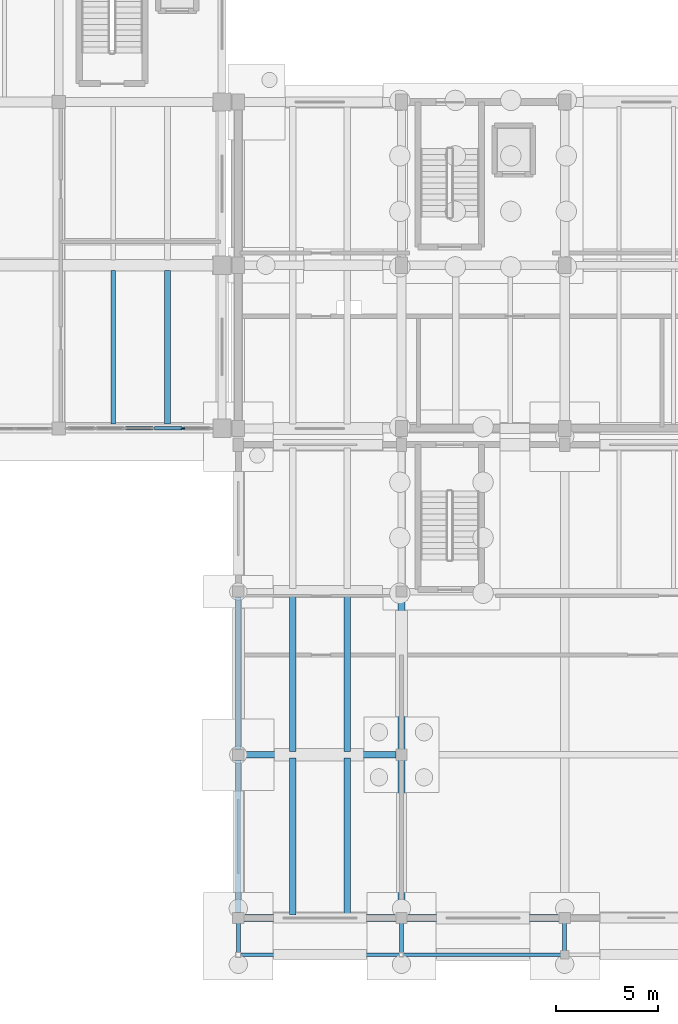
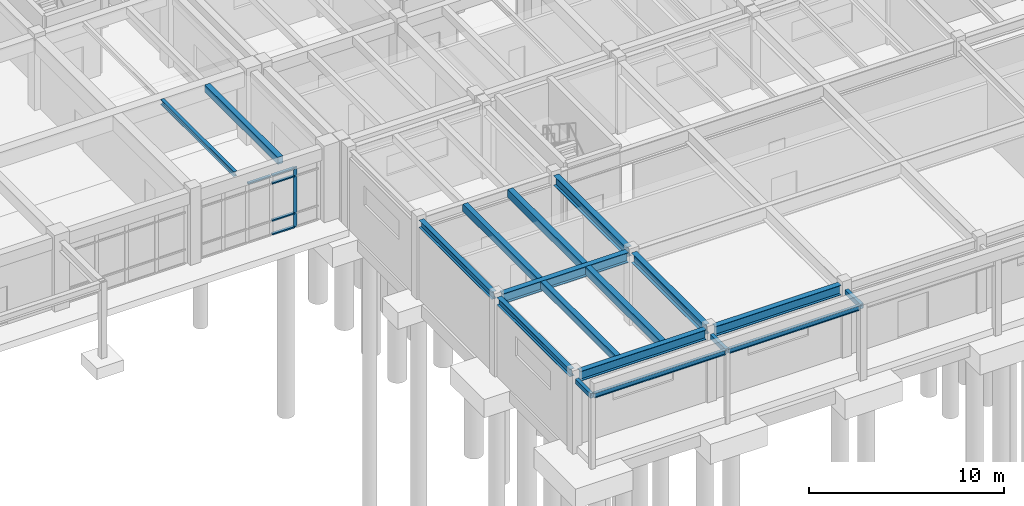
# One storey, part 20 of 64: 18 beams, 6 members, 1 element without a shape of its own.
"""IFC4 building model written with IfcOpenShell, lengths in metres."""

import ifcopenshell
import ifcopenshell.guid

model = None  # the IFC model being written
_history = None  # IfcOwnerHistory: only IFC2X3 demands one
_inside = {}  # id of a spatial element -> (the spatial element, [elements in it])
_under = {}  # id of a project, library or spatial element -> (it, [spatial elements below it])
_declared = {}  # id of a project -> (the project, [libraries it declares])
_typed = {}  # id of a type object -> (the type object, [elements of that type])
_made_of = {}  # id of a material, layer set ... -> (it, [elements and type objects made of it])


def new_model(schema):
    """Start an empty IFC model of exactly this schema.

    Asked for "IFC4X3", IfcOpenShell would pick the latest addendum, in which some entities
    have other attributes; the version numbers below select the first issue.
    IFC2X3 requires an IfcOwnerHistory on every rooted entity: one is made here for all.
    """
    global model, _history
    if schema == "IFC4X3":
        model = ifcopenshell.file(schema_version=(4, 3, 0, 0))
    else:
        model = ifcopenshell.file(schema=schema)
    _inside.clear()
    _under.clear()
    _declared.clear()
    _typed.clear()
    _made_of.clear()
    _history = None
    if model.schema == "IFC2X3":
        org = make("IfcOrganization", Name="unknown")
        user = make(
            "IfcPersonAndOrganization",
            ThePerson=make("IfcPerson", FamilyName="unknown"),
            TheOrganization=org,
        )
        app = make(
            "IfcApplication",
            ApplicationDeveloper=org,
            Version="unknown",
            ApplicationFullName="unknown",
            ApplicationIdentifier="unknown",
        )
        _history = make(
            "IfcOwnerHistory",
            OwningUser=user,
            OwningApplication=app,
            ChangeAction="ADDED",
            CreationDate=0,
        )
    return model


def make(cls, **values):
    """One entity of the class cls with the attributes given. An attribute that is None is left unset."""
    return model.create_entity(
        cls, **{name: value for name, value in values.items() if value is not None}
    )


def rooted(cls, **values):
    """An entity with a GlobalId (a new one), such as an element, a storey or a relation."""
    return make(cls, GlobalId=ifcopenshell.guid.new(), OwnerHistory=_history, **values)


def si_unit(unit_type, name, prefix=None):
    """IfcSIUnit, for example si_unit("LENGTHUNIT", "METRE", prefix="MILLI")."""
    return make("IfcSIUnit", UnitType=unit_type, Prefix=prefix, Name=name)


def assignment(units):
    """IfcUnitAssignment: the units of a project."""
    return None if units is None else make("IfcUnitAssignment", Units=units)


def point(xyz):
    """IfcCartesianPoint."""
    return None if xyz is None else make("IfcCartesianPoint", Coordinates=xyz)


def direction(xyz):
    """IfcDirection."""
    return None if xyz is None else make("IfcDirection", DirectionRatios=xyz)


def frame(location, z_axis=None, x_axis=None):
    """IfcAxis2Placement3D, a coordinate frame: its origin and axes. An axis left out is left unset."""
    return make(
        "IfcAxis2Placement3D",
        Location=point(location),
        Axis=direction(z_axis),
        RefDirection=direction(x_axis),
    )


def frame_2d(location, x_axis=None):
    """IfcAxis2Placement2D, a coordinate frame in the plane: its origin and x axis."""
    return make(
        "IfcAxis2Placement2D", Location=point(location), RefDirection=direction(x_axis)
    )


def origin():
    """The frame at (0, 0, 0) with its axes left unset."""
    return frame((0.0, 0.0, 0.0))


def origin_2d():
    """The frame at (0, 0) in the plane with its x axis left unset."""
    return frame_2d((0.0, 0.0))


def place(relative_to, where):
    """IfcLocalPlacement: puts the frame where relative to a parent placement (None: the world)."""
    return make(
        "IfcLocalPlacement", PlacementRelTo=relative_to, RelativePlacement=where
    )


def context(
    kind, dimensions, precision=None, world=None, true_north=None, identifier=None
):
    """IfcGeometricRepresentationContext, for example the 3D "Model" context."""
    return make(
        "IfcGeometricRepresentationContext",
        ContextIdentifier=identifier,
        ContextType=kind,
        CoordinateSpaceDimension=dimensions,
        Precision=precision,
        WorldCoordinateSystem=world,
        TrueNorth=true_north,
    )


def subcontext(parent, identifier, kind, view, scale=None):
    """IfcGeometricRepresentationSubContext, for example "Body" below "Model"."""
    return make(
        "IfcGeometricRepresentationSubContext",
        ContextIdentifier=identifier,
        ContextType=kind,
        ParentContext=parent,
        TargetScale=scale,
        TargetView=view,
    )


def project(units=None, contexts=None):
    """IfcProject with its units and contexts."""
    return rooted(
        "IfcProject",
        Name="project",
        RepresentationContexts=contexts,
        UnitsInContext=assignment(units),
    )


def spatial(cls, under=None, at=None, **own):
    """A site, building, storey or space (cls), placed at a placement, below another one or the project."""
    s = rooted(cls, ObjectPlacement=at, **own)
    if under is not None:
        _under.setdefault(under.id(), (under, []))[1].append(s)
    return s


def profile(cls, at=None, kind="AREA", **sizes):
    """A parametric profile (cls). Its sizes go by their IFC names, for example OverallWidth=200.0."""
    return make(cls, ProfileType=kind, Position=at, **sizes)


def rectangle(**sizes):
    """IfcRectangleProfileDef."""
    return profile("IfcRectangleProfileDef", **sizes)


def hollow_rectangle(**sizes):
    """IfcRectangleHollowProfileDef."""
    return profile("IfcRectangleHollowProfileDef", **sizes)


def i_section(**sizes):
    """IfcIShapeProfileDef."""
    return profile("IfcIShapeProfileDef", **sizes)


def extrude(swept, where, along, depth):
    """IfcExtrudedAreaSolid: the profile swept, set in the frame where, extruded along a direction by depth."""
    return make(
        "IfcExtrudedAreaSolid",
        SweptArea=swept,
        Position=where,
        ExtrudedDirection=direction(along),
        Depth=depth,
    )


def shape(context_of_items, identifier, shape_type, items):
    """IfcShapeRepresentation: the items that make up one representation, for example the "Body"."""
    return make(
        "IfcShapeRepresentation",
        ContextOfItems=context_of_items,
        RepresentationIdentifier=identifier,
        RepresentationType=shape_type,
        Items=items,
    )


def material(Name=None, Category=None):
    """IfcMaterial."""
    return make("IfcMaterial", Name=Name, Category=Category)


def material_profile(
    of_material, cross_section, Name=None, Category=None, Priority=None
):
    """IfcMaterialProfile: a cross section and its material."""
    return make(
        "IfcMaterialProfile",
        Name=Name,
        Material=of_material,
        Profile=cross_section,
        Priority=Priority,
        Category=Category,
    )


def profile_set(profiles, Name=None, composite=None):
    """IfcMaterialProfileSet."""
    return make(
        "IfcMaterialProfileSet",
        Name=Name,
        MaterialProfiles=profiles,
        CompositeProfile=composite,
    )


def made_of(thing, what):
    """Note that an element or type object is made of a material, layer set ...; save() writes the relation."""
    if what is not None:
        _made_of.setdefault(what.id(), (what, []))[1].append(thing)
    return thing


def type_object(cls, material=None, **own):
    """A type object (cls), such as IfcWallType, which elements share."""
    return made_of(rooted(cls, **own), material)


def element(
    cls,
    number,
    at=None,
    inside=None,
    cuts=None,
    type_object=None,
    material=None,
    context=None,
    identifier="Body",
    shape_type=None,
    held_by="IfcProductDefinitionShape",
    body=None,
    shapes=None,
    **own,
):
    """One element of the class cls, such as IfcWall. Its Tag is "e" and its number.

    at: its placement. inside: the storey or other place that contains it. cuts: it is an
    opening in that element (IfcRelVoidsElement). A single representation is given by context,
    identifier, shape_type and body (its items); several are given by shapes. held_by: the class
    of the entity that holds the representations. save() writes the other relations.
    """
    e = rooted(cls, Tag="e%d" % number, ObjectPlacement=at, **own)
    if body is not None:
        shapes = [shape(context, identifier, shape_type, body)]
    if shapes is not None:
        e.Representation = make(held_by, Representations=shapes)
    if inside is not None:
        _inside.setdefault(inside.id(), (inside, []))[1].append(e)
    if cuts is not None:
        rooted(
            "IfcRelVoidsElement", RelatingBuildingElement=cuts, RelatedOpeningElement=e
        )
    if type_object is not None:
        _typed.setdefault(type_object.id(), (type_object, []))[1].append(e)
    return made_of(e, material)


def aggregate(whole, parts):
    """IfcRelAggregates: a whole, such as a stair, and the parts it consists of."""
    return rooted("IfcRelAggregates", RelatingObject=whole, RelatedObjects=parts)


def save(model, path):
    """Write the relations noted so far, then the file.

    IfcRelAggregates (storeys below a building ...), IfcRelContainedInSpatialStructure (elements
    in a storey), IfcRelDefinesByType, IfcRelAssociatesMaterial and IfcRelDeclares: one each for
    every whole, place, type object, material and project.
    """
    for whole, parts in _under.values():
        aggregate(whole, parts)
    for where, things in _inside.values():
        rooted(
            "IfcRelContainedInSpatialStructure",
            RelatedElements=things,
            RelatingStructure=where,
        )
    for kind, things in _typed.values():
        rooted("IfcRelDefinesByType", RelatedObjects=things, RelatingType=kind)
    for what, things in _made_of.values():
        rooted("IfcRelAssociatesMaterial", RelatedObjects=things, RelatingMaterial=what)
    for by, libraries in _declared.values():
        rooted("IfcRelDeclares", RelatingContext=by, RelatedDefinitions=libraries)
    model.write(path)


model = new_model("IFC4")

# Units and contexts
model_context = context("Model", 3, precision=1e-05, world=origin(), true_north=direction((0.0, 1.0)))
body_context = subcontext(model_context, "Body", "Model", "MODEL_VIEW")
ifc_project = project(units=[si_unit("LENGTHUNIT", "METRE"), si_unit("AREAUNIT", "SQUARE_METRE"), si_unit("VOLUMEUNIT", "CUBIC_METRE"), si_unit("PLANEANGLEUNIT", "RADIAN"), si_unit("MASSUNIT", "GRAM", prefix="KILO")], contexts=[model_context])

# Site, building, storey
site_placement = place(None, origin())
site = spatial("IfcSite", under=ifc_project, at=site_placement, CompositionType="ELEMENT")
building_placement = place(site_placement, origin())
building = spatial("IfcBuilding", under=site, at=building_placement, Name="Tlaxcora Railside Police Headquarters", CompositionType="ELEMENT")
storey_placement = place(building_placement, origin())
storey = spatial("IfcBuildingStorey", under=building, at=storey_placement, Name="L00", CompositionType="ELEMENT", Elevation=0.0)

# Curtain wall, members
ifc_material_1 = material(Name="Thermally broken low-E insulated glazing", Category="glass")
curtain_wall_type = type_object("IfcCurtainWallType", Name="Unitised Curtain Wall Assembly CW-23", PredefinedType="NOTDEFINED", material=ifc_material_1)
curtain_wall_placement = place(storey_placement, origin())
curtain_wall = element("IfcCurtainWall", 1, at=curtain_wall_placement, inside=storey, type_object=curtain_wall_type, Name="V1 L00 curtain wall 4", PredefinedType="NOTDEFINED")
ifc_material_2 = material(Name="Anodised aluminium framing", Category="aluminium")
ifc_material_profile_1 = material_profile(ifc_material_2, rectangle(XDim=0.080078125, YDim=0.219970703125, at=origin_2d()), Name="AL80X220")
ifc_profile_set_1 = profile_set([ifc_material_profile_1], Name="Anodised aluminium framing")
member_type_1 = type_object("IfcMemberType", Name="Curtain Wall Mullion CW-31", PredefinedType="MULLION", material=ifc_profile_set_1)
member_1_placement = place(storey_placement, frame((100.074951171875, 36.0, 0.0), z_axis=(0.0, 0.0, 1.0), x_axis=(0.0, 1.0, 0.0)))
member_1 = element("IfcMember", 2, at=member_1_placement, type_object=member_type_1, Name="CW mullion 5", PredefinedType="MULLION", context=body_context, shape_type="SweptSolid", body=[
    extrude(rectangle(XDim=0.080078125, YDim=0.219970703125, at=origin_2d()), origin(), (0.0, 0.0, 1.0), 3.760009765625),
])
ifc_material_profile_2 = material_profile(ifc_material_2, rectangle(XDim=0.1650390625, YDim=0.080078125, at=origin_2d()), Name="AL80X165")
ifc_profile_set_2 = profile_set([ifc_material_profile_2], Name="Anodised aluminium framing")
member_type_2 = type_object("IfcMemberType", Name="Curtain Wall Transom CW-62", PredefinedType="USERDEFINED", material=ifc_profile_set_2)
member_2_placement = place(storey_placement, frame((97.264892578125, 36.0, 3.719970703125), z_axis=(1.0, 0.0, 0.0), x_axis=(0.0, 1.0, 0.0)))
member_2 = element("IfcMember", 3, at=member_2_placement, type_object=member_type_2, Name="CW transom 3.4", ObjectType="TRANSOM", PredefinedType="USERDEFINED", context=body_context, shape_type="SweptSolid", body=[
    extrude(rectangle(XDim=0.1650390625, YDim=0.080078125, at=origin_2d()), origin(), (0.0, 0.0, 1.0), 1.34521484375),
])
member_3_placement = place(storey_placement, frame((98.68994140625, 36.0, 0.0400390625), z_axis=(1.0, 0.0, 0.0), x_axis=(0.0, 1.0, 0.0)))
member_3 = element("IfcMember", 4, at=member_3_placement, type_object=member_type_2, Name="CW transom 4.1", ObjectType="TRANSOM", PredefinedType="USERDEFINED", context=body_context, shape_type="SweptSolid", body=[
    extrude(rectangle(XDim=0.1650390625, YDim=0.080078125, at=origin_2d()), origin(), (0.0, 0.0, 1.0), 1.344970703125),
])
member_4_placement = place(storey_placement, frame((98.68994140625, 36.0, 0.89990234375), z_axis=(1.0, 0.0, 0.0), x_axis=(0.0, 1.0, 0.0)))
member_4 = element("IfcMember", 5, at=member_4_placement, type_object=member_type_2, Name="CW transom 4.2", ObjectType="TRANSOM", PredefinedType="USERDEFINED", context=body_context, shape_type="SweptSolid", body=[
    extrude(rectangle(XDim=0.1650390625, YDim=0.080078125, at=origin_2d()), origin(), (0.0, 0.0, 1.0), 1.344970703125),
])
member_5_placement = place(storey_placement, frame((98.68994140625, 36.0, 3.22998046875), z_axis=(1.0, 0.0, 0.0), x_axis=(0.0, 1.0, 0.0)))
member_5 = element("IfcMember", 6, at=member_5_placement, type_object=member_type_2, Name="CW transom 4.3", ObjectType="TRANSOM", PredefinedType="USERDEFINED", context=body_context, shape_type="SweptSolid", body=[
    extrude(rectangle(XDim=0.1650390625, YDim=0.080078125, at=origin_2d()), origin(), (0.0, 0.0, 1.0), 1.344970703125),
])
member_6_placement = place(storey_placement, frame((98.68994140625, 36.0, 3.719970703125), z_axis=(1.0, 0.0, 0.0), x_axis=(0.0, 1.0, 0.0)))
member_6 = element("IfcMember", 7, at=member_6_placement, type_object=member_type_2, Name="CW transom 4.4", ObjectType="TRANSOM", PredefinedType="USERDEFINED", context=body_context, shape_type="SweptSolid", body=[
    extrude(rectangle(XDim=0.1650390625, YDim=0.080078125, at=origin_2d()), origin(), (0.0, 0.0, 1.0), 1.344970703125),
])
aggregate(curtain_wall, [member_1, member_2, member_3, member_4, member_5, member_6])

# Beams
ifc_material_3 = material(Name="Steel ASTM A992 Grade 50", Category="steel")
ifc_material_profile_3 = material_profile(ifc_material_3, hollow_rectangle(XDim=0.199951171875, YDim=0.300048828125, WallThickness=0.010009765625, at=origin_2d()), Name="HSS300X200X10")
ifc_profile_set_3 = profile_set([ifc_material_profile_3], Name="Steel ASTM A992 Grade 50")
beam_type_1 = type_object("IfcBeamType", Name="Opening Lintel Beam BM-74", PredefinedType="LINTEL", material=ifc_profile_set_3)
for number, where, z_axis, x_axis, name in (
    (8, (102.800048828125, 10.199951171875, 4.10009765625), (0.0, 1.0, 0.0), (-1.0, 0.0, 0.0), "Forecourt loggia tie beam X=102.8"),
    (9, (110.800048828125, 10.199951171875, 4.10009765625), (0.0, 1.0, 0.0), (-1.0, 0.0, 0.0), "Forecourt loggia tie beam X=110.8"),
    (10, (118.800048828125, 10.199951171875, 4.10009765625), (0.0, 1.0, 0.0), (-1.0, 0.0, 0.0), "Forecourt loggia tie beam X=118.8"),
):
    element("IfcBeam", number, at=place(storey_placement, frame(where, z_axis=z_axis, x_axis=x_axis)), inside=storey, type_object=beam_type_1, Name=name, PredefinedType="LINTEL", context=body_context, shape_type="SweptSolid", body=[
        extrude(hollow_rectangle(XDim=0.199951171875, YDim=0.300048828125, WallThickness=0.010009765625, at=origin_2d()), origin(), (0.0, 0.0, 1.0), 1.550048828125),
    ])
ifc_material_profile_4 = material_profile(ifc_material_3, i_section(OverallWidth=0.1650390625, OverallDepth=0.31005859375, WebThickness=0.005859375, FlangeThickness=0.009765625, at=origin_2d()), Name="W12X26")
ifc_profile_set_4 = profile_set([ifc_material_profile_4], Name="Steel ASTM A992 Grade 50")
beam_type_2 = type_object("IfcBeamType", Name="Opening Lintel Beam BM-87", PredefinedType="LINTEL", material=ifc_profile_set_4)
for number, where, z_axis, x_axis, name in (
    (11, (102.89990234375, 10.199951171875, 4.10009765625), (1.0, 0.0, 0.0), (0.0, 1.0, 0.0), "Forecourt loggia lintel X=102.8..110.8"),
    (12, (110.89990234375, 10.199951171875, 4.10009765625), (1.0, 0.0, 0.0), (0.0, 1.0, 0.0), "Forecourt loggia lintel X=110.8..118.8"),
):
    element("IfcBeam", number, at=place(storey_placement, frame(where, z_axis=z_axis, x_axis=x_axis)), inside=storey, type_object=beam_type_2, Name=name, PredefinedType="LINTEL", context=body_context, shape_type="SweptSolid", body=[
        extrude(i_section(OverallWidth=0.1650390625, OverallDepth=0.31005859375, WebThickness=0.005859375, FlangeThickness=0.009765625, at=origin_2d()), origin(), (0.0, 0.0, 1.0), 7.800048828125),
    ])
ifc_material_profile_5 = material_profile(ifc_material_3, i_section(OverallWidth=0.280029296875, OverallDepth=0.4619140625, WebThickness=0.0107421875, FlangeThickness=0.017333984375, at=origin_2d()), Name="W18X76")
ifc_profile_set_5 = profile_set([ifc_material_profile_5], Name="Steel ASTM A992 Grade 50")
beam_type_3 = type_object("IfcBeamType", Name="Perimeter Spandrel Beam BM-33", PredefinedType="SPANDREL", material=ifc_profile_set_5)
for number, where, z_axis, x_axis, name in (
    (13, (102.800048828125, 12.264892578125, 4.299072265625), (0.0, 1.0, 0.0), (-1.0, 0.0, 0.0), "V3 L00 Y-girder X=102.8"),
    (14, (102.800048828125, 20.264892578125, 4.299072265625), (0.0, 1.0, 0.0), (-1.0, 0.0, 0.0), "V3 L00 Y-girder X=102.8"),
):
    element("IfcBeam", number, at=place(storey_placement, frame(where, z_axis=z_axis, x_axis=x_axis)), inside=storey, type_object=beam_type_3, Name=name, PredefinedType="SPANDREL", context=body_context, shape_type="SweptSolid", body=[
        extrude(i_section(OverallWidth=0.280029296875, OverallDepth=0.4619140625, WebThickness=0.0107421875, FlangeThickness=0.017333984375, at=origin_2d()), origin(), (0.0, 0.0, 1.0), 7.47021484375),
    ])
ifc_material_profile_6 = material_profile(ifc_material_3, i_section(OverallWidth=0.324951171875, OverallDepth=0.616943359375, WebThickness=0.013916015625, FlangeThickness=0.021484375, at=origin_2d()), Name="W24X117")
ifc_profile_set_6 = profile_set([ifc_material_profile_6], Name="Steel ASTM A992 Grade 50")
beam_type_4 = type_object("IfcBeamType", Name="Perimeter Spandrel Beam BM-60", PredefinedType="SPANDREL", material=ifc_profile_set_6)
for number, where, z_axis, x_axis, name in (
    (15, (103.06494140625, 12.0, 4.221435546875), (1.0, 0.0, 0.0), (0.0, 1.0, 0.0), "V3 L00 X-girder Y=12.0"),
    (16, (111.06494140625, 12.0, 4.221435546875), (1.0, 0.0, 0.0), (0.0, 1.0, 0.0), "V3 L00 X-girder Y=12.0"),
):
    element("IfcBeam", number, at=place(storey_placement, frame(where, z_axis=z_axis, x_axis=x_axis)), inside=storey, type_object=beam_type_4, Name=name, PredefinedType="SPANDREL", context=body_context, shape_type="SweptSolid", body=[
        extrude(i_section(OverallWidth=0.324951171875, OverallDepth=0.616943359375, WebThickness=0.013916015625, FlangeThickness=0.021484375, at=origin_2d()), origin(), (0.0, 0.0, 1.0), 7.469970703125),
    ])
ifc_material_profile_7 = material_profile(ifc_material_3, i_section(OverallWidth=0.324951171875, OverallDepth=0.616943359375, WebThickness=0.013916015625, FlangeThickness=0.021484375, at=origin_2d()), Name="W24X117")
ifc_profile_set_7 = profile_set([ifc_material_profile_7], Name="Steel ASTM A992 Grade 50")
beam_type_5 = type_object("IfcBeamType", Name="Primary Frame Girder BM-72", PredefinedType="BEAM", material=ifc_profile_set_7)
for number, where, z_axis, x_axis, name in (
    (17, (110.800048828125, 12.264892578125, 4.221435546875), (0.0, 1.0, 0.0), (-1.0, 0.0, 0.0), "V3 L00 Y-girder X=110.8"),
    (18, (110.800048828125, 20.264892578125, 4.221435546875), (0.0, 1.0, 0.0), (-1.0, 0.0, 0.0), "V3 L00 Y-girder X=110.8"),
):
    element("IfcBeam", number, at=place(storey_placement, frame(where, z_axis=z_axis, x_axis=x_axis)), inside=storey, type_object=beam_type_5, Name=name, PredefinedType="BEAM", context=body_context, shape_type="SweptSolid", body=[
        extrude(i_section(OverallWidth=0.324951171875, OverallDepth=0.616943359375, WebThickness=0.013916015625, FlangeThickness=0.021484375, at=origin_2d()), origin(), (0.0, 0.0, 1.0), 7.47021484375),
    ])
ifc_material_profile_8 = material_profile(ifc_material_3, i_section(OverallWidth=0.3291015625, OverallDepth=0.635009765625, WebThickness=0.017822265625, FlangeThickness=0.031005859375, at=origin_2d()), Name="W24X162")
ifc_profile_set_8 = profile_set([ifc_material_profile_8], Name="Steel ASTM A992 Grade 50")
beam_type_6 = type_object("IfcBeamType", Name="Primary Frame Girder BM-77", PredefinedType="BEAM", material=ifc_profile_set_8)
beam_1_placement = place(storey_placement, frame((103.06494140625, 20.0, 4.21240234375), z_axis=(1.0, 0.0, 0.0), x_axis=(0.0, 1.0, 0.0)))
element("IfcBeam", 19, at=beam_1_placement, inside=storey, type_object=beam_type_6, Name="V3 L00 X-girder Y=20.0", PredefinedType="BEAM", context=body_context, shape_type="SweptSolid", body=[
    extrude(i_section(OverallWidth=0.3291015625, OverallDepth=0.635009765625, WebThickness=0.017822265625, FlangeThickness=0.031005859375, at=origin_2d()), origin(), (0.0, 0.0, 1.0), 7.469970703125),
])
ifc_material_4 = material(Name="Concrete C35/45", Category="concrete")
ifc_material_profile_9 = material_profile(ifc_material_4, rectangle(XDim=0.300048828125, YDim=0.449951171875, at=origin_2d()), Name="RC300X450")
ifc_profile_set_9 = profile_set([ifc_material_profile_9], Name="Concrete C35/45")
beam_type_7 = type_object("IfcBeamType", Name="Secondary Floor Joist BM-27", PredefinedType="JOIST", material=ifc_profile_set_9)
beam_2_placement = place(storey_placement, frame((99.333251953125, 36.217041015625, 4.304931640625), z_axis=(0.0, 1.0, 0.0), x_axis=(-1.0, 0.0, 0.0)))
element("IfcBeam", 20, at=beam_2_placement, inside=storey, type_object=beam_type_7, Name="V1 L00 floor joist X=99.33", PredefinedType="JOIST", context=body_context, shape_type="SweptSolid", body=[
    extrude(rectangle(XDim=0.300048828125, YDim=0.449951171875, at=origin_2d()), origin(), (0.0, 0.0, 1.0), 7.515869140625),
])
beam_3_placement = place(storey_placement, frame((105.466796875, 12.154541015625, 4.304931640625), z_axis=(0.0, 1.0, 0.0), x_axis=(-1.0, 0.0, 0.0)))
element("IfcBeam", 21, at=beam_3_placement, inside=storey, type_object=beam_type_7, Name="V3 L00 floor joist X=105.47", PredefinedType="JOIST", context=body_context, shape_type="SweptSolid", body=[
    extrude(rectangle(XDim=0.300048828125, YDim=0.449951171875, at=origin_2d()), origin(), (0.0, 0.0, 1.0), 7.68896484375),
])
beam_4_placement = place(storey_placement, frame((105.466796875, 20.156494140625, 4.304931640625), z_axis=(0.0, 1.0, 0.0), x_axis=(-1.0, 0.0, 0.0)))
element("IfcBeam", 22, at=beam_4_placement, inside=storey, type_object=beam_type_7, Name="V3 L00 floor joist X=105.47", PredefinedType="JOIST", context=body_context, shape_type="SweptSolid", body=[
    extrude(rectangle(XDim=0.300048828125, YDim=0.449951171875, at=origin_2d()), origin(), (0.0, 0.0, 1.0), 7.68701171875),
])
ifc_material_profile_10 = material_profile(ifc_material_4, rectangle(XDim=0.320068359375, YDim=0.5, at=origin_2d()), Name="RC320X500")
ifc_profile_set_10 = profile_set([ifc_material_profile_10], Name="Concrete C35/45")
beam_type_8 = type_object("IfcBeamType", Name="Secondary Floor Joist BM-88", PredefinedType="JOIST", material=ifc_profile_set_10)
beam_5_placement = place(storey_placement, frame((108.13330078125, 12.154541015625, 4.280029296875), z_axis=(0.0, 1.0, 0.0), x_axis=(-1.0, 0.0, 0.0)))
element("IfcBeam", 23, at=beam_5_placement, inside=storey, type_object=beam_type_8, Name="V3 L00 floor joist X=108.13", PredefinedType="JOIST", context=body_context, shape_type="SweptSolid", body=[
    extrude(rectangle(XDim=0.320068359375, YDim=0.5, at=origin_2d()), origin(), (0.0, 0.0, 1.0), 7.68896484375),
])
beam_6_placement = place(storey_placement, frame((108.13330078125, 20.156494140625, 4.280029296875), z_axis=(0.0, 1.0, 0.0), x_axis=(-1.0, 0.0, 0.0)))
element("IfcBeam", 24, at=beam_6_placement, inside=storey, type_object=beam_type_8, Name="V3 L00 floor joist X=108.13", PredefinedType="JOIST", context=body_context, shape_type="SweptSolid", body=[
    extrude(rectangle(XDim=0.320068359375, YDim=0.5, at=origin_2d()), origin(), (0.0, 0.0, 1.0), 7.68701171875),
])
ifc_material_profile_11 = material_profile(ifc_material_3, i_section(OverallWidth=0.202880859375, OverallDepth=0.302978515625, WebThickness=0.007568359375, FlangeThickness=0.01318359375, at=origin_2d()), Name="W12X40")
ifc_profile_set_11 = profile_set([ifc_material_profile_11], Name="Steel ASTM A992 Grade 50")
beam_type_9 = type_object("IfcBeamType", Name="Secondary Floor Joist BM-96", PredefinedType="JOIST", material=ifc_profile_set_11)
beam_7_placement = place(storey_placement, frame((96.666748046875, 36.217041015625, 4.37841796875), z_axis=(0.0, 1.0, 0.0), x_axis=(-1.0, 0.0, 0.0)))
element("IfcBeam", 25, at=beam_7_placement, inside=storey, type_object=beam_type_9, Name="V1 L00 floor joist X=96.67", PredefinedType="JOIST", context=body_context, shape_type="SweptSolid", body=[
    extrude(i_section(OverallWidth=0.202880859375, OverallDepth=0.302978515625, WebThickness=0.007568359375, FlangeThickness=0.01318359375, at=origin_2d()), origin(), (0.0, 0.0, 1.0), 7.515869140625),
])

save(model, "model.ifc")
